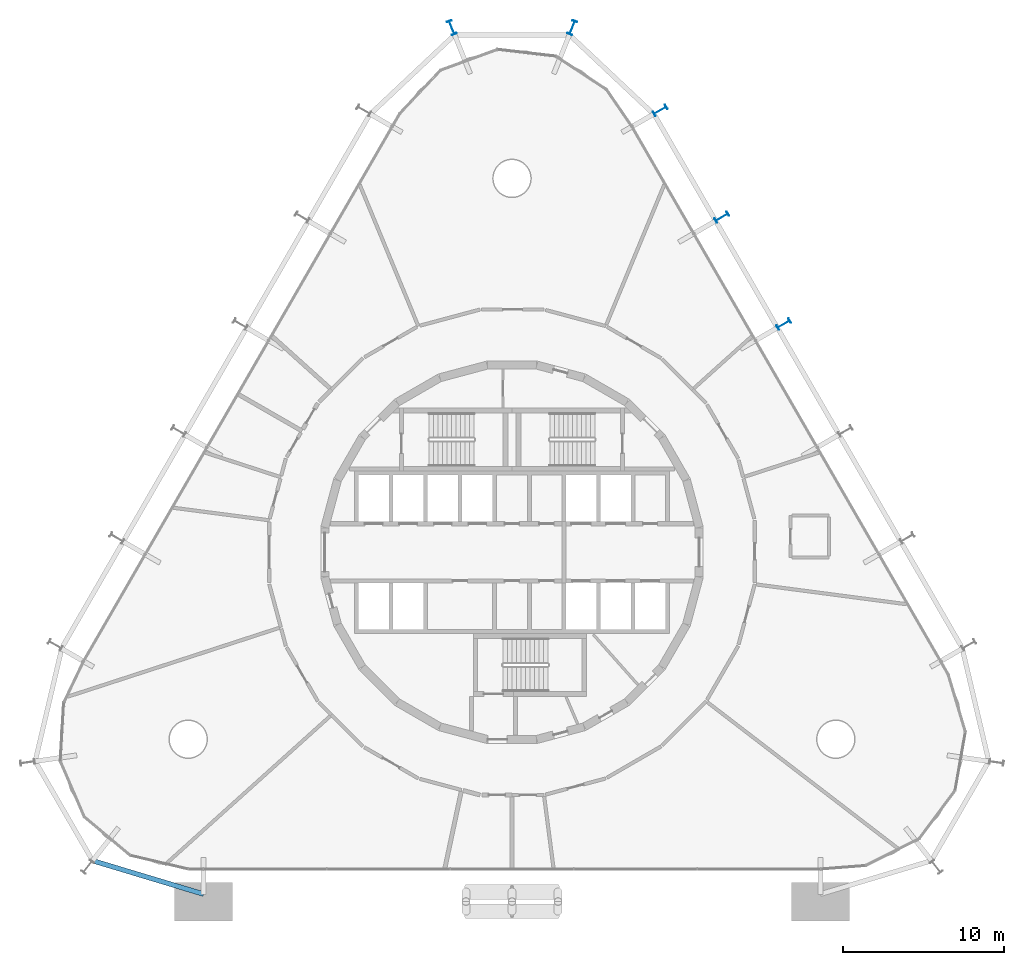
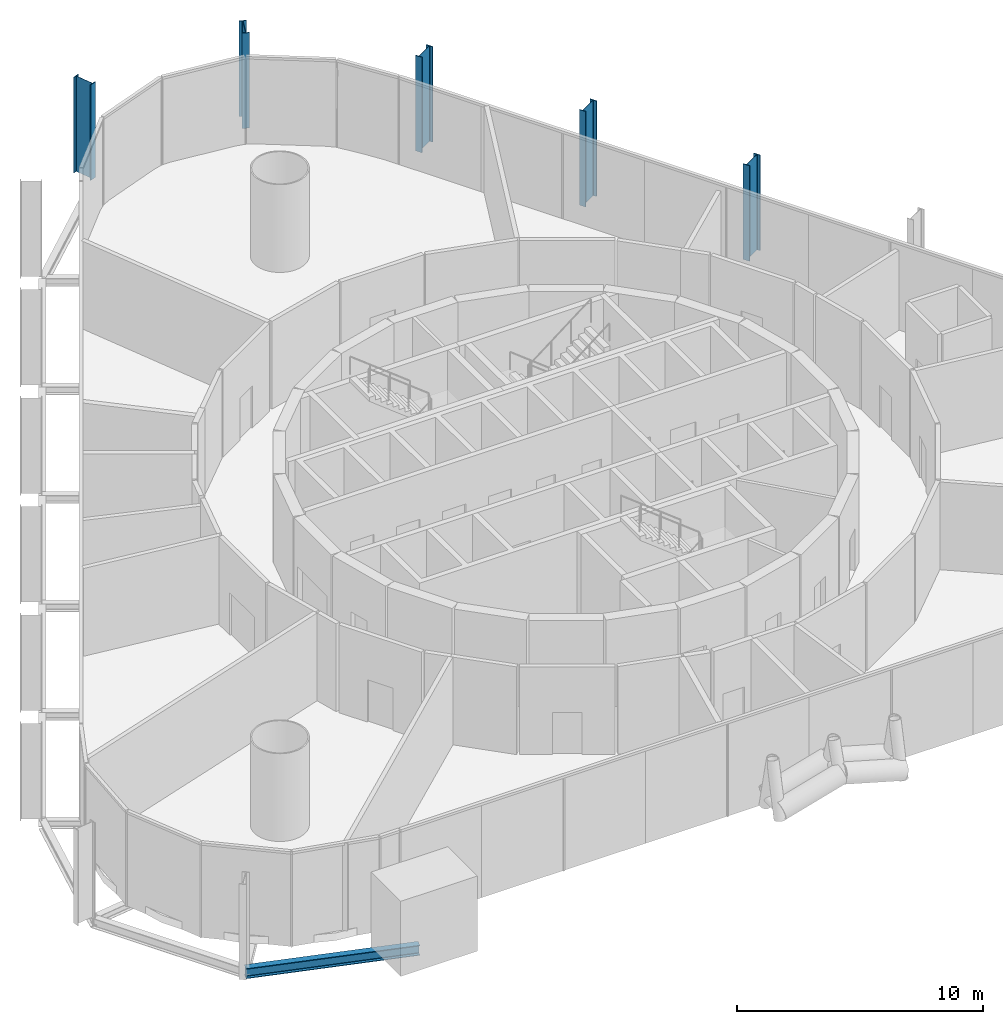
# One storey, part 2 of 17: 5 columns, 1 beam.
"""IFC4 building model written with IfcOpenShell, lengths in metres."""

from ifc_helpers import new_model, si_unit, direction, frame, origin, origin_2d, place, context, subcontext, project, spatial, i_section, extrude, material, material_profile, profile_set, type_object, element, save


model = new_model("IFC4")

# Units and contexts
model_context = context("Model", 3, precision=1e-05, world=origin(), true_north=direction((0.0, 1.0)))
body_context = subcontext(model_context, "Body", "Model", "MODEL_VIEW")
ifc_project = project(units=[si_unit("LENGTHUNIT", "METRE"), si_unit("AREAUNIT", "SQUARE_METRE"), si_unit("VOLUMEUNIT", "CUBIC_METRE"), si_unit("PLANEANGLEUNIT", "RADIAN"), si_unit("MASSUNIT", "GRAM", prefix="KILO")], contexts=[model_context])

# Site, building, storey
site_placement = place(None, origin())
site = spatial("IfcSite", under=ifc_project, at=site_placement, CompositionType="ELEMENT")
building_placement = place(site_placement, origin())
building = spatial("IfcBuilding", under=site, at=building_placement, Name="Spindle Arch Residences", CompositionType="ELEMENT")
storey_placement = place(building_placement, frame((0.0, 0.0, 28.199951171875)))
storey = spatial("IfcBuildingStorey", under=building, at=storey_placement, Name="L05", CompositionType="ELEMENT", Elevation=28.199951171875)

# Columns
ifc_material_1 = material(Name="Steel S460ML, intumescent coating R 240", Category="steel")
ifc_material_profile_1 = material_profile(ifc_material_1, i_section(OverallWidth=0.300048828125, OverallDepth=0.89990234375, WebThickness=0.0185546875, FlangeThickness=0.034912109375, FilletRadius=0.030029296875, at=origin_2d()), Name="HEB 900")
ifc_profile_set_1 = profile_set([ifc_material_profile_1], Name="Steel S460ML, intumescent coating R 240")
column_type = type_object("IfcColumnType", Name="Exoskeleton post HEB 900", PredefinedType="COLUMN", material=ifc_profile_set_1)
for number, where, z_axis, x_axis, name in (
    (1, (16.898681640625, 14.1904296875, -0.3798828125), (0.0, 0.0, 1.0), (0.50000017485, -0.866025302835, 0.0), "Exoskeleton post 9"),
    (2, (13.05859375, 20.841796875, -0.3798828125), (0.0, 0.0, 1.0), (0.50000017485, -0.866025302835, 0.0), "Exoskeleton post 10"),
    (3, (9.218505859375, 27.492919921875, -0.3798828125), (0.0, 0.0, 1.0), (0.50000017485, -0.866025302835, 0.0), "Exoskeleton post 11"),
    (4, (3.748291015625, 32.638671875, -0.3798828125), (0.0, 0.0, 1.0), (0.928589751246, -0.371107900591, 0.0), "Exoskeleton post 12"),
    (5, (-3.748291015625, 32.638671875, -0.3798828125), (0.0, 0.0, 1.0), (0.928589751246, 0.371107900591, 0.0), "Exoskeleton post 13"),
):
    element("IfcColumn", number, at=place(storey_placement, frame(where, z_axis=z_axis, x_axis=x_axis)), inside=storey, type_object=column_type, Name=name, PredefinedType="COLUMN", context=body_context, shape_type="SweptSolid", body=[
        extrude(i_section(OverallWidth=0.300048828125, OverallDepth=0.89990234375, WebThickness=0.0185546875, FlangeThickness=0.034912109375, FilletRadius=0.030029296875, at=origin_2d()), origin(), (0.0, 0.0, 1.0), 4.72998046875),
    ])

# Beam
ifc_material_2 = material(Name="Steel S460ML, intumescent coating R 120", Category="steel")
ifc_material_profile_2 = material_profile(ifc_material_2, i_section(OverallWidth=0.300048828125, OverallDepth=0.5, WebThickness=0.014404296875, FlangeThickness=0.028076171875, FilletRadius=0.027099609375, at=origin_2d()), Name="HEB 500")
ifc_profile_set_2 = profile_set([ifc_material_profile_2], Name="Steel S460ML, intumescent coating R 120")
beam_type = type_object("IfcBeamType", Name="Exoskeleton edge beam HEB 500", PredefinedType="BEAM", material=ifc_profile_set_2)
beam_placement = place(storey_placement, frame((-26.119873046875, -19.177490234375, -0.6298828125), z_axis=(0.957564526429, -0.288218975303, 0.0), x_axis=(0.288218975303, 0.957564526429, 0.0)))
element("IfcBeam", 6, at=beam_placement, inside=storey, type_object=beam_type, Name="Exoskeleton edge beam 21", PredefinedType="BEAM", context=body_context, shape_type="SweptSolid", body=[
    extrude(i_section(OverallWidth=0.300048828125, OverallDepth=0.5, WebThickness=0.014404296875, FlangeThickness=0.028076171875, FilletRadius=0.027099609375, at=origin_2d()), origin(), (0.0, 0.0, 1.0), 7.25),
])

save(model, "model.ifc")
